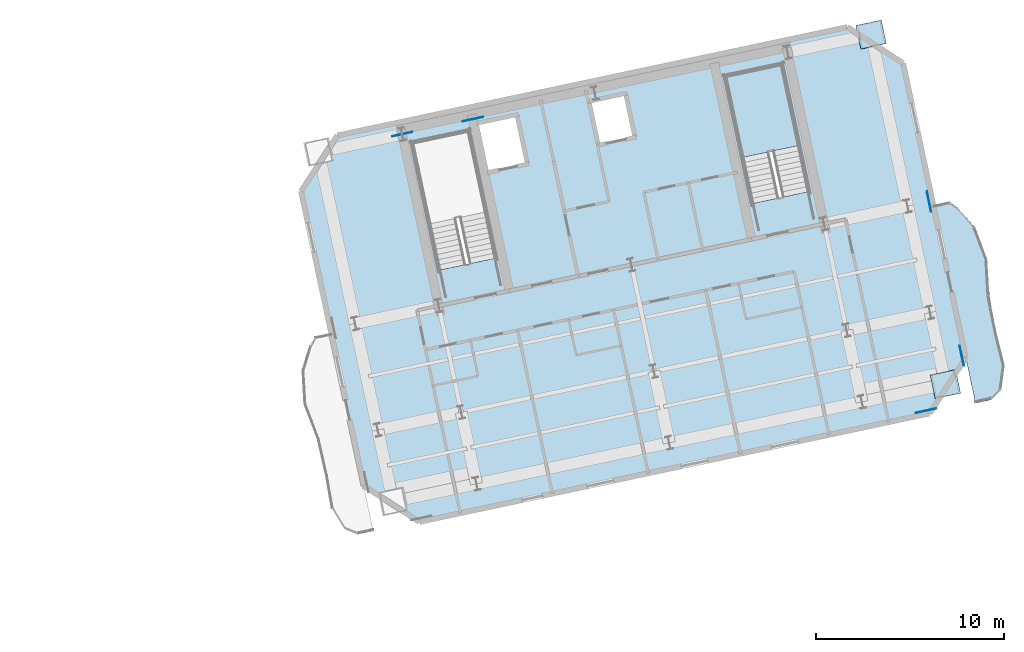
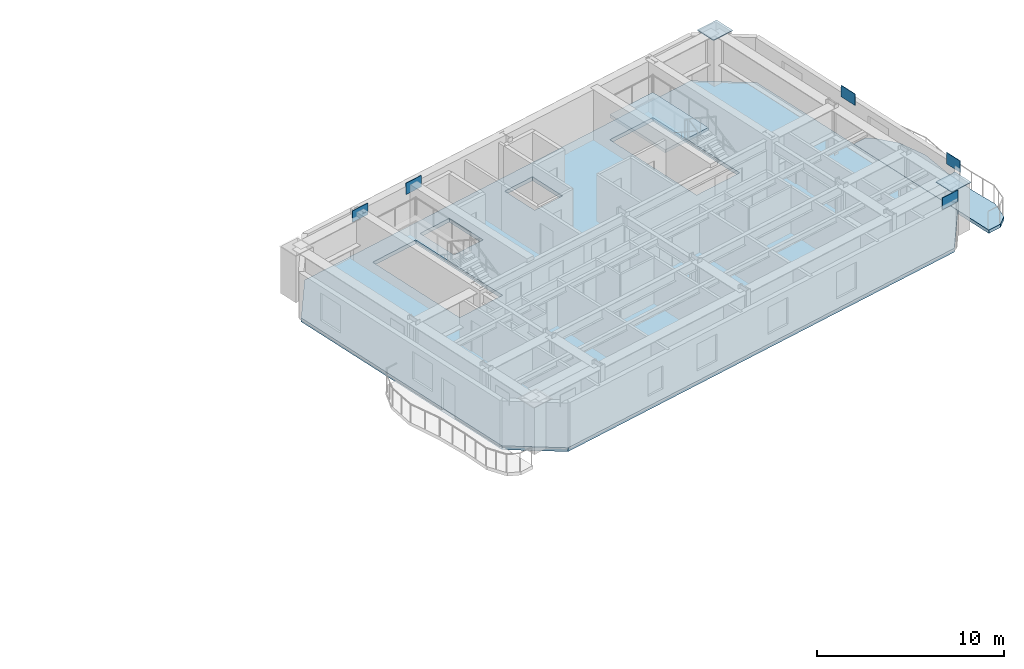
# One storey, part 6 of 15: 7 plates, 3 slabs, 1 element without a shape of its own.
"""IFC4 building model written with IfcOpenShell, lengths in metres."""

import ifcopenshell
import ifcopenshell.guid

model = None  # the IFC model being written
_history = None  # IfcOwnerHistory: only IFC2X3 demands one
_inside = {}  # id of a spatial element -> (the spatial element, [elements in it])
_under = {}  # id of a project, library or spatial element -> (it, [spatial elements below it])
_declared = {}  # id of a project -> (the project, [libraries it declares])
_typed = {}  # id of a type object -> (the type object, [elements of that type])
_made_of = {}  # id of a material, layer set ... -> (it, [elements and type objects made of it])


def new_model(schema):
    """Start an empty IFC model of exactly this schema.

    Asked for "IFC4X3", IfcOpenShell would pick the latest addendum, in which some entities
    have other attributes; the version numbers below select the first issue.
    IFC2X3 requires an IfcOwnerHistory on every rooted entity: one is made here for all.
    """
    global model, _history
    if schema == "IFC4X3":
        model = ifcopenshell.file(schema_version=(4, 3, 0, 0))
    else:
        model = ifcopenshell.file(schema=schema)
    _inside.clear()
    _under.clear()
    _declared.clear()
    _typed.clear()
    _made_of.clear()
    _history = None
    if model.schema == "IFC2X3":
        org = make("IfcOrganization", Name="unknown")
        user = make(
            "IfcPersonAndOrganization",
            ThePerson=make("IfcPerson", FamilyName="unknown"),
            TheOrganization=org,
        )
        app = make(
            "IfcApplication",
            ApplicationDeveloper=org,
            Version="unknown",
            ApplicationFullName="unknown",
            ApplicationIdentifier="unknown",
        )
        _history = make(
            "IfcOwnerHistory",
            OwningUser=user,
            OwningApplication=app,
            ChangeAction="ADDED",
            CreationDate=0,
        )
    return model


def make(cls, **values):
    """One entity of the class cls with the attributes given. An attribute that is None is left unset."""
    return model.create_entity(
        cls, **{name: value for name, value in values.items() if value is not None}
    )


def rooted(cls, **values):
    """An entity with a GlobalId (a new one), such as an element, a storey or a relation."""
    return make(cls, GlobalId=ifcopenshell.guid.new(), OwnerHistory=_history, **values)


def si_unit(unit_type, name, prefix=None):
    """IfcSIUnit, for example si_unit("LENGTHUNIT", "METRE", prefix="MILLI")."""
    return make("IfcSIUnit", UnitType=unit_type, Prefix=prefix, Name=name)


def assignment(units):
    """IfcUnitAssignment: the units of a project."""
    return None if units is None else make("IfcUnitAssignment", Units=units)


def point(xyz):
    """IfcCartesianPoint."""
    return None if xyz is None else make("IfcCartesianPoint", Coordinates=xyz)


def direction(xyz):
    """IfcDirection."""
    return None if xyz is None else make("IfcDirection", DirectionRatios=xyz)


def frame(location, z_axis=None, x_axis=None):
    """IfcAxis2Placement3D, a coordinate frame: its origin and axes. An axis left out is left unset."""
    return make(
        "IfcAxis2Placement3D",
        Location=point(location),
        Axis=direction(z_axis),
        RefDirection=direction(x_axis),
    )


def frame_2d(location, x_axis=None):
    """IfcAxis2Placement2D, a coordinate frame in the plane: its origin and x axis."""
    return make(
        "IfcAxis2Placement2D", Location=point(location), RefDirection=direction(x_axis)
    )


def origin():
    """The frame at (0, 0, 0) with its axes left unset."""
    return frame((0.0, 0.0, 0.0))


def origin_2d():
    """The frame at (0, 0) in the plane with its x axis left unset."""
    return frame_2d((0.0, 0.0))


def place(relative_to, where):
    """IfcLocalPlacement: puts the frame where relative to a parent placement (None: the world)."""
    return make(
        "IfcLocalPlacement", PlacementRelTo=relative_to, RelativePlacement=where
    )


def context(
    kind, dimensions, precision=None, world=None, true_north=None, identifier=None
):
    """IfcGeometricRepresentationContext, for example the 3D "Model" context."""
    return make(
        "IfcGeometricRepresentationContext",
        ContextIdentifier=identifier,
        ContextType=kind,
        CoordinateSpaceDimension=dimensions,
        Precision=precision,
        WorldCoordinateSystem=world,
        TrueNorth=true_north,
    )


def subcontext(parent, identifier, kind, view, scale=None):
    """IfcGeometricRepresentationSubContext, for example "Body" below "Model"."""
    return make(
        "IfcGeometricRepresentationSubContext",
        ContextIdentifier=identifier,
        ContextType=kind,
        ParentContext=parent,
        TargetScale=scale,
        TargetView=view,
    )


def project(units=None, contexts=None):
    """IfcProject with its units and contexts."""
    return rooted(
        "IfcProject",
        Name="project",
        RepresentationContexts=contexts,
        UnitsInContext=assignment(units),
    )


def spatial(cls, under=None, at=None, **own):
    """A site, building, storey or space (cls), placed at a placement, below another one or the project."""
    s = rooted(cls, ObjectPlacement=at, **own)
    if under is not None:
        _under.setdefault(under.id(), (under, []))[1].append(s)
    return s


def polyline(points):
    """IfcPolyline through the points."""
    return make("IfcPolyline", Points=[point(p) for p in points])


def profile(cls, at=None, kind="AREA", **sizes):
    """A parametric profile (cls). Its sizes go by their IFC names, for example OverallWidth=200.0."""
    return make(cls, ProfileType=kind, Position=at, **sizes)


def rectangle(**sizes):
    """IfcRectangleProfileDef."""
    return profile("IfcRectangleProfileDef", **sizes)


def outline(outer, holes=None, kind="AREA"):
    """IfcArbitraryClosedProfileDef: a profile drawn as a closed curve; with holes, ...WithVoids."""
    if holes is None:
        return make("IfcArbitraryClosedProfileDef", ProfileType=kind, OuterCurve=outer)
    return make(
        "IfcArbitraryProfileDefWithVoids",
        ProfileType=kind,
        OuterCurve=outer,
        InnerCurves=holes,
    )


def extrude(swept, where, along, depth):
    """IfcExtrudedAreaSolid: the profile swept, set in the frame where, extruded along a direction by depth."""
    return make(
        "IfcExtrudedAreaSolid",
        SweptArea=swept,
        Position=where,
        ExtrudedDirection=direction(along),
        Depth=depth,
    )


def shape(context_of_items, identifier, shape_type, items):
    """IfcShapeRepresentation: the items that make up one representation, for example the "Body"."""
    return make(
        "IfcShapeRepresentation",
        ContextOfItems=context_of_items,
        RepresentationIdentifier=identifier,
        RepresentationType=shape_type,
        Items=items,
    )


def material(Name=None, Category=None):
    """IfcMaterial."""
    return make("IfcMaterial", Name=Name, Category=Category)


def layer(
    of_material, thickness, ventilated=None, Name=None, Category=None, Priority=None
):
    """IfcMaterialLayer: one layer of a wall or slab, of a material (None: an air gap)."""
    return make(
        "IfcMaterialLayer",
        Material=of_material,
        LayerThickness=thickness,
        IsVentilated=ventilated,
        Name=Name,
        Category=Category,
        Priority=Priority,
    )


def layer_set(layers, Name=None):
    """IfcMaterialLayerSet."""
    return make("IfcMaterialLayerSet", MaterialLayers=layers, LayerSetName=Name)


def made_of(thing, what):
    """Note that an element or type object is made of a material, layer set ...; save() writes the relation."""
    if what is not None:
        _made_of.setdefault(what.id(), (what, []))[1].append(thing)
    return thing


def type_object(cls, material=None, **own):
    """A type object (cls), such as IfcWallType, which elements share."""
    return made_of(rooted(cls, **own), material)


def element(
    cls,
    number,
    at=None,
    inside=None,
    cuts=None,
    type_object=None,
    material=None,
    context=None,
    identifier="Body",
    shape_type=None,
    held_by="IfcProductDefinitionShape",
    body=None,
    shapes=None,
    **own,
):
    """One element of the class cls, such as IfcWall. Its Tag is "e" and its number.

    at: its placement. inside: the storey or other place that contains it. cuts: it is an
    opening in that element (IfcRelVoidsElement). A single representation is given by context,
    identifier, shape_type and body (its items); several are given by shapes. held_by: the class
    of the entity that holds the representations. save() writes the other relations.
    """
    e = rooted(cls, Tag="e%d" % number, ObjectPlacement=at, **own)
    if body is not None:
        shapes = [shape(context, identifier, shape_type, body)]
    if shapes is not None:
        e.Representation = make(held_by, Representations=shapes)
    if inside is not None:
        _inside.setdefault(inside.id(), (inside, []))[1].append(e)
    if cuts is not None:
        rooted(
            "IfcRelVoidsElement", RelatingBuildingElement=cuts, RelatedOpeningElement=e
        )
    if type_object is not None:
        _typed.setdefault(type_object.id(), (type_object, []))[1].append(e)
    return made_of(e, material)


def aggregate(whole, parts):
    """IfcRelAggregates: a whole, such as a stair, and the parts it consists of."""
    return rooted("IfcRelAggregates", RelatingObject=whole, RelatedObjects=parts)


def save(model, path):
    """Write the relations noted so far, then the file.

    IfcRelAggregates (storeys below a building ...), IfcRelContainedInSpatialStructure (elements
    in a storey), IfcRelDefinesByType, IfcRelAssociatesMaterial and IfcRelDeclares: one each for
    every whole, place, type object, material and project.
    """
    for whole, parts in _under.values():
        aggregate(whole, parts)
    for where, things in _inside.values():
        rooted(
            "IfcRelContainedInSpatialStructure",
            RelatedElements=things,
            RelatingStructure=where,
        )
    for kind, things in _typed.values():
        rooted("IfcRelDefinesByType", RelatedObjects=things, RelatingType=kind)
    for what, things in _made_of.values():
        rooted("IfcRelAssociatesMaterial", RelatedObjects=things, RelatingMaterial=what)
    for by, libraries in _declared.values():
        rooted("IfcRelDeclares", RelatingContext=by, RelatedDefinitions=libraries)
    model.write(path)


model = new_model("IFC4")

# Units and contexts
model_context = context("Model", 3, precision=1e-05, world=origin(), true_north=direction((0.0, 1.0)))
body_context = subcontext(model_context, "Body", "Model", "MODEL_VIEW")
ifc_project = project(units=[si_unit("LENGTHUNIT", "METRE"), si_unit("AREAUNIT", "SQUARE_METRE"), si_unit("VOLUMEUNIT", "CUBIC_METRE"), si_unit("PLANEANGLEUNIT", "RADIAN"), si_unit("MASSUNIT", "GRAM", prefix="KILO")], contexts=[model_context])

# Site, building, storey
site_placement = place(None, origin())
site = spatial("IfcSite", under=ifc_project, at=site_placement, CompositionType="ELEMENT")
building_placement = place(site_placement, origin())
building = spatial("IfcBuilding", under=site, at=building_placement, Name="Haevon Station Towers", CompositionType="ELEMENT")
storey_placement = place(building_placement, frame((0.0, 0.0, 152.699951171875)))
storey = spatial("IfcBuildingStorey", under=building, at=storey_placement, Name="L41", CompositionType="ELEMENT", Elevation=152.699951171875)

# Plates
ifc_material_1 = material(Name="PL-FLG1", Category="steel")
ifc_layer_1 = layer(ifc_material_1, 0.044921875)
ifc_layer_set_1 = layer_set([ifc_layer_1], Name="PL-FLG1")
plate_type_1 = type_object("IfcPlateType", Name="PL-FLG1", PredefinedType="USERDEFINED", material=ifc_layer_set_1)
for number, where, z_axis, x_axis, name in (
    (1, (125.7607421875, 33.2666015625, 3.050048828125), (0.0, 0.0, 1.0), (0.978147600734, 0.207911690818, 0.0), "PL-CAP-T2-L41-05-01"),
    (2, (121.800048828125, 51.900146484375, 3.050048828125), (0.0, 0.0, 1.0), (0.978147600734, 0.207911690818, 0.0), "PL-CAP-T2-L41-05-04"),
):
    element("IfcPlate", number, at=place(storey_placement, frame(where, z_axis=z_axis, x_axis=x_axis)), inside=storey, type_object=plate_type_1, Name=name, ObjectType="FLANGE_PLATE", PredefinedType="USERDEFINED", context=body_context, shape_type="SweptSolid", body=[
        extrude(rectangle(XDim=1.389892578125, YDim=1.2900390625, at=origin_2d()), origin(), (0.0, 0.0, 1.0), 0.0400390625),
    ])
ifc_material_2 = material(Name="PL-SPL1", Category="steel")
ifc_layer_2 = layer(ifc_material_2, 0.031982421875)
ifc_layer_set_2 = layer_set([ifc_layer_2], Name="PL-SPL1")
plate_type_2 = type_object("IfcPlateType", Name="PL-SPL1", PredefinedType="USERDEFINED", material=ifc_layer_set_2)
for number, where, z_axis, x_axis, name in (
    (3, (124.732421875, 31.851806640625, 2.775146484375), (0.0, 0.0, 1.0), (0.978147600734, 0.207911690818, 0.0), "PL-T2SPL-T05-S-4"),
    (4, (96.808349609375, 46.588134765625, 2.775146484375), (0.0, 0.0, 1.0), (0.978147600734, 0.207911690818, 0.0), "PL-T2SPL-T05-N-3"),
    (5, (100.57421875, 47.388671875, 2.775146484375), (0.0, 0.0, 1.0), (0.978147600734, 0.207911690818, 0.0), "PL-T2SPL-T05-N-4"),
    (6, (126.635009765625, 34.78125, 2.775146484375), (0.0, 0.0, 1.0), (-0.207911690818, 0.978147600734, 0.0), "PL-T2SPL-T05-E-3"),
    (7, (124.888427734375, 42.997802734375, 2.775146484375), (0.0, 0.0, 1.0), (-0.207911690818, 0.978147600734, 0.0), "PL-T2SPL-T05-E-4"),
):
    element("IfcPlate", number, at=place(storey_placement, frame(where, z_axis=z_axis, x_axis=x_axis)), inside=storey, type_object=plate_type_2, Name=name, ObjectType="SPLICE_PLATE", PredefinedType="USERDEFINED", context=body_context, shape_type="SweptSolid", body=[
        extrude(rectangle(XDim=1.10009765625, YDim=0.031982421875, at=origin_2d()), origin(), (0.0, 0.0, 1.0), 0.75),
    ])

# Slab
ifc_material_3 = material(Name="Concrete C40/50", Category="concrete")
ifc_layer_3 = layer(ifc_material_3, 0.219970703125)
ifc_layer_set_3 = layer_set([ifc_layer_3], Name="Concrete C40/50")
slab_type_1 = type_object("IfcSlabType", Name="SL-BALC220", PredefinedType="FLOOR", material=ifc_layer_set_3)
slab_1_placement = place(storey_placement, frame((0.0, 0.0, -0.219970703125)))
element("IfcSlab", 8, at=slab_1_placement, inside=storey, type_object=slab_type_1, Name="Tower 2 L41 East SCALLOPED BALCONY", PredefinedType="FLOOR", context=body_context, shape_type="SweptSolid", body=[
    extrude(outline(polyline([(127.361572265625, 32.252197265625), (128.193115234375, 32.428955078125), (128.70751953125, 32.95849609375), (128.883544921875, 34.192626953125), (128.464111328125, 35.89453125), (128.117431640625, 37.93359375), (127.9404296875, 40.008544921875), (127.2958984375, 41.66259765625), (126.40771484375, 42.67041015625), (125.947509765625, 42.992919921875), (125.1162109375, 42.816162109375), (127.361572265625, 32.252197265625)])), origin(), (0.0, 0.0, 1.0), 0.219970703125),
])

# Stair, slab
stair_type = type_object("IfcStairType", Name="STR-DL1450", PredefinedType="USERDEFINED", material=ifc_material_3)
stair_placement = place(storey_placement, origin())
stair = element("IfcStair", 9, at=stair_placement, inside=storey, type_object=stair_type, Name="L41 Escape Stair ST4", ObjectType="TWO_RETURN_STAIR", PredefinedType="USERDEFINED")
ifc_layer_4 = layer(ifc_material_3, 0.199951171875)
ifc_layer_set_4 = layer_set([ifc_layer_4], Name="Concrete C40/50")
slab_type_2 = type_object("IfcSlabType", Name="SL-LND200", PredefinedType="LANDING", material=ifc_layer_set_4)
slab_2_placement = place(storey_placement, frame((0.0, 0.0, 1.449951171875)))
slab_2 = element("IfcSlab", 10, at=slab_2_placement, type_object=slab_type_2, Name="L41 ST4 Half Landing 1", PredefinedType="LANDING", context=body_context, shape_type="SweptSolid", body=[
    extrude(outline(polyline([(117.975341796875, 45.989990234375), (117.052978515625, 50.328857421875), (114.020751953125, 49.684326171875), (114.943115234375, 45.345458984375), (117.975341796875, 45.989990234375)])), origin(), (0.0, 0.0, 1.0), 0.2001953125),
])
aggregate(stair, [slab_2])

# Slab
ifc_layer_5 = layer(ifc_material_3, 0.25)
ifc_layer_set_5 = layer_set([ifc_layer_5], Name="Concrete C40/50")
slab_type_3 = type_object("IfcSlabType", Name="SL-TW250", PredefinedType="FLOOR", material=ifc_layer_set_5)
slab_3_placement = place(storey_placement, frame((0.0, 0.0, -0.25)))
element("IfcSlab", 11, at=slab_3_placement, inside=storey, type_object=slab_type_3, Name="SL-T2-L41", PredefinedType="FLOOR", context=body_context, shape_type="SweptSolid", body=[
    extrude(outline(polyline([(97.72412109375, 25.927001953125), (124.91650390625, 31.70703125), (126.84228515625, 34.672119140625), (123.505126953125, 50.371337890625), (120.5400390625, 52.296875), (93.347412109375, 46.51708984375), (91.421875, 43.5517578125), (94.759033203125, 27.8525390625), (97.72412109375, 25.927001953125)]), holes=[polyline([(101.8095703125, 39.98974609375), (100.36572265625, 46.781982421875), (97.33349609375, 46.137451171875), (98.77734375, 39.34521484375), (101.8095703125, 39.98974609375)]), polyline([(118.496826171875, 43.53662109375), (117.052978515625, 50.328857421875), (114.020751953125, 49.684326171875), (115.464599609375, 42.89208984375), (118.496826171875, 43.53662109375)]), polyline([(101.43212890625, 44.554931640625), (103.486328125, 44.99169921875), (102.9248046875, 47.632568359375), (100.870849609375, 47.196044921875), (101.43212890625, 44.554931640625)]), polyline([(107.259521484375, 45.998046875), (109.2158203125, 46.413818359375), (108.716796875, 48.761474609375), (106.760498046875, 48.345703125), (107.259521484375, 45.998046875)])]), origin(), (0.0, 0.0, 1.0), 0.25),
])

save(model, "model.ifc")
